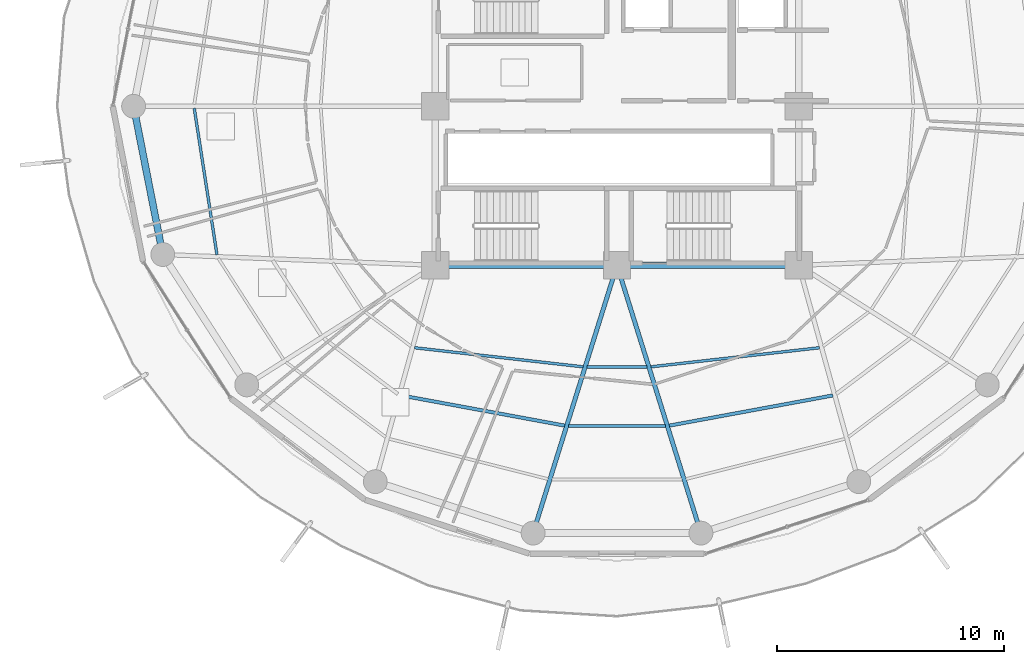
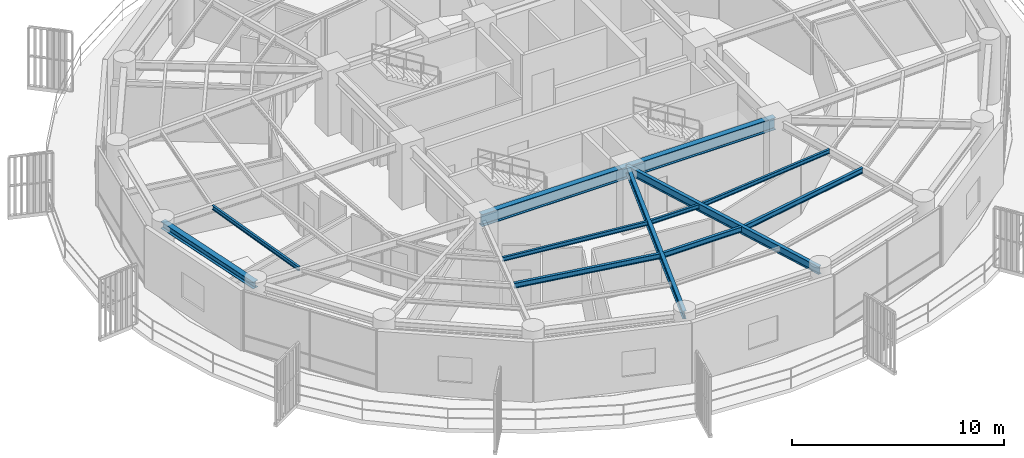
# One storey, part 5 of 31: 12 beams.
"""IFC4 building model written with IfcOpenShell, lengths in metres."""

from ifc_helpers import new_model, si_unit, direction, frame, origin, origin_2d, place, context, subcontext, project, spatial, i_section, extrude, material, material_profile, profile_set, type_object, element, save


model = new_model("IFC4")

# Units and contexts
model_context = context("Model", 3, precision=1e-05, world=origin(), true_north=direction((0.0, 1.0)))
body_context = subcontext(model_context, "Body", "Model", "MODEL_VIEW")
ifc_project = project(units=[si_unit("LENGTHUNIT", "METRE"), si_unit("AREAUNIT", "SQUARE_METRE"), si_unit("VOLUMEUNIT", "CUBIC_METRE"), si_unit("PLANEANGLEUNIT", "RADIAN"), si_unit("MASSUNIT", "GRAM", prefix="KILO")], contexts=[model_context])

# Site, building, storey
site_placement = place(None, origin())
site = spatial("IfcSite", under=ifc_project, at=site_placement, CompositionType="ELEMENT")
building_placement = place(site_placement, origin())
building = spatial("IfcBuilding", under=site, at=building_placement, Name="Kelanora Arch Commons", CompositionType="ELEMENT")
storey_placement = place(building_placement, frame((0.0, 0.0, 193.199951171875)))
storey = spatial("IfcBuildingStorey", under=building, at=storey_placement, Name="L49", CompositionType="ELEMENT", Elevation=193.199951171875)

# Beams
ifc_material = material(Name="Steel S355", Category="steel")
ifc_material_profile_1 = material_profile(ifc_material, i_section(OverallWidth=0.300048828125, OverallDepth=0.699951171875, WebThickness=0.01708984375, FlangeThickness=0.031982421875, FilletRadius=0.027099609375, at=origin_2d()), Name="HEB700")
ifc_profile_set_1 = profile_set([ifc_material_profile_1], Name="Steel S355")
beam_type_1 = type_object("IfcBeamType", Name="BM-CORE-HDR", PredefinedType="BEAM", material=ifc_profile_set_1)
for number, where, z_axis, x_axis, name in (
    (1, (66.0, 51.0, 3.14013671875), (1.0, 0.0, 0.0), (0.0, 1.0, 0.0), "Core Header Beam 01 L49"),
    (2, (74.0, 51.0, 3.14013671875), (1.0, 0.0, 0.0), (0.0, 1.0, 0.0), "Core Header Beam 02 L49"),
):
    element("IfcBeam", number, at=place(storey_placement, frame(where, z_axis=z_axis, x_axis=x_axis)), inside=storey, type_object=beam_type_1, Name=name, PredefinedType="BEAM", context=body_context, shape_type="SweptSolid", body=[
        extrude(i_section(OverallWidth=0.300048828125, OverallDepth=0.699951171875, WebThickness=0.01708984375, FlangeThickness=0.031982421875, FilletRadius=0.027099609375, at=origin_2d()), origin(), (0.0, 0.0, 1.0), 8.0),
    ])
ifc_material_profile_2 = material_profile(ifc_material, i_section(OverallWidth=0.14990234375, OverallDepth=0.300048828125, WebThickness=0.007080078125, FlangeThickness=0.0107421875, FilletRadius=0.014892578125, at=origin_2d()), Name="IPE300")
ifc_profile_set_2 = profile_set([ifc_material_profile_2], Name="Steel S355")
beam_type_2 = type_object("IfcBeamType", Name="BM-JST-01", PredefinedType="JOIST", material=ifc_profile_set_2)
beam_1_placement = place(storey_placement, frame((64.49951171875, 45.270263671875, 3.340087890625), z_axis=(0.983389964671, -0.181505309519, 0.0), x_axis=(0.181505309519, 0.983389964671, 0.0)))
element("IfcBeam", 3, at=beam_1_placement, inside=storey, type_object=beam_type_2, Name="Secondary Chord Joist BJB-24 L49", PredefinedType="JOIST", context=body_context, shape_type="SweptSolid", body=[
    extrude(i_section(OverallWidth=0.14990234375, OverallDepth=0.300048828125, WebThickness=0.007080078125, FlangeThickness=0.0107421875, FilletRadius=0.014892578125, at=origin_2d()), origin(), (0.0, 0.0, 1.0), 7.3212890625),
])
beam_2_placement = place(storey_placement, frame((71.867919921875, 43.92578125, 3.340087890625), z_axis=(1.0, 0.0, 0.0), x_axis=(0.0, 1.0, 0.0)))
element("IfcBeam", 4, at=beam_2_placement, inside=storey, type_object=beam_type_2, Name="Secondary Chord Joist BJB-26 L49", PredefinedType="JOIST", context=body_context, shape_type="SweptSolid", body=[
    extrude(i_section(OverallWidth=0.14990234375, OverallDepth=0.300048828125, WebThickness=0.007080078125, FlangeThickness=0.0107421875, FilletRadius=0.014892578125, at=origin_2d()), origin(), (0.0, 0.0, 1.0), 4.26416015625),
])
beam_3_placement = place(storey_placement, frame((76.30078125, 43.94140625, 3.340087890625), z_axis=(0.983389964671, 0.181505309519, 0.0), x_axis=(-0.181505309519, 0.983389964671, 0.0)))
element("IfcBeam", 5, at=beam_3_placement, inside=storey, type_object=beam_type_2, Name="Secondary Chord Joist BJB-28 L49", PredefinedType="JOIST", context=body_context, shape_type="SweptSolid", body=[
    extrude(i_section(OverallWidth=0.14990234375, OverallDepth=0.300048828125, WebThickness=0.007080078125, FlangeThickness=0.0107421875, FilletRadius=0.014892578125, at=origin_2d()), origin(), (0.0, 0.0, 1.0), 7.3212890625),
])
ifc_material_profile_3 = material_profile(ifc_material, i_section(OverallWidth=0.1201171875, OverallDepth=0.239990234375, WebThickness=0.006103515625, FlangeThickness=0.009765625, FilletRadius=0.014892578125, at=origin_2d()), Name="IPE240")
ifc_profile_set_3 = profile_set([ifc_material_profile_3], Name="Steel S355")
beam_type_3 = type_object("IfcBeamType", Name="BM-JST-02", PredefinedType="JOIST", material=ifc_profile_set_3)
beam_4_placement = place(storey_placement, frame((55.388916015625, 57.916015625, 3.3701171875), z_axis=(0.153256756152, -0.988186402808, 0.0), x_axis=(0.988186402808, 0.153256756152, 0.0)))
element("IfcBeam", 6, at=beam_4_placement, inside=storey, type_object=beam_type_3, Name="Secondary Chord Joist BJC-18 L49", PredefinedType="JOIST", context=body_context, shape_type="SweptSolid", body=[
    extrude(i_section(OverallWidth=0.1201171875, OverallDepth=0.239990234375, WebThickness=0.006103515625, FlangeThickness=0.009765625, FilletRadius=0.014892578125, at=origin_2d()), origin(), (0.0, 0.0, 1.0), 6.52978515625),
])
beam_5_placement = place(storey_placement, frame((65.081298828125, 47.371337890625, 3.3701171875), z_axis=(0.993639672263, -0.11260640171, 0.0), x_axis=(0.11260640171, 0.993639672263, 0.0)))
element("IfcBeam", 7, at=beam_5_placement, inside=storey, type_object=beam_type_3, Name="Secondary Chord Joist BJA-24 L49", PredefinedType="JOIST", context=body_context, shape_type="SweptSolid", body=[
    extrude(i_section(OverallWidth=0.1201171875, OverallDepth=0.239990234375, WebThickness=0.006103515625, FlangeThickness=0.009765625, FilletRadius=0.014892578125, at=origin_2d()), origin(), (0.0, 0.0, 1.0), 7.477783203125),
])
beam_6_placement = place(storey_placement, frame((72.680908203125, 46.519775390625, 3.3701171875), z_axis=(1.0, 0.0, 0.0), x_axis=(0.0, 1.0, 0.0)))
element("IfcBeam", 8, at=beam_6_placement, inside=storey, type_object=beam_type_3, Name="Secondary Chord Joist BJA-26 L49", PredefinedType="JOIST", context=body_context, shape_type="SweptSolid", body=[
    extrude(i_section(OverallWidth=0.1201171875, OverallDepth=0.239990234375, WebThickness=0.006103515625, FlangeThickness=0.009765625, FilletRadius=0.014892578125, at=origin_2d()), origin(), (0.0, 0.0, 1.0), 2.63818359375),
])
beam_7_placement = place(storey_placement, frame((75.488525390625, 46.529296875, 3.3701171875), z_axis=(0.993639672263, 0.11260640171, 0.0), x_axis=(-0.11260640171, 0.993639672263, 0.0)))
element("IfcBeam", 9, at=beam_7_placement, inside=storey, type_object=beam_type_3, Name="Secondary Chord Joist BJA-28 L49", PredefinedType="JOIST", context=body_context, shape_type="SweptSolid", body=[
    extrude(i_section(OverallWidth=0.1201171875, OverallDepth=0.239990234375, WebThickness=0.006103515625, FlangeThickness=0.009765625, FilletRadius=0.014892578125, at=origin_2d()), origin(), (0.0, 0.0, 1.0), 7.477783203125),
])
ifc_material_profile_4 = material_profile(ifc_material, i_section(OverallWidth=0.18994140625, OverallDepth=0.449951171875, WebThickness=0.009521484375, FlangeThickness=0.0146484375, FilletRadius=0.02099609375, at=origin_2d()), Name="IPE450")
ifc_profile_set_4 = profile_set([ifc_material_profile_4], Name="Steel S355")
beam_type_4 = type_object("IfcBeamType", Name="BM-RAD-Z4", PredefinedType="BEAM", material=ifc_profile_set_4)
for number, where, z_axis, x_axis, name in (
    (10, (74.0, 51.0, 3.26513671875), (-0.299080457492, -0.954227897279, 0.0), (0.954227897279, -0.299080457492, 0.0), "Radial Floor Girder BR-26 L49"),
    (11, (74.0, 51.0, 3.26513671875), (0.299080457492, -0.954227897279, 0.0), (0.954227897279, 0.299080457492, 0.0), "Radial Floor Girder BR-28 L49"),
):
    element("IfcBeam", number, at=place(storey_placement, frame(where, z_axis=z_axis, x_axis=x_axis)), inside=storey, type_object=beam_type_4, Name=name, PredefinedType="BEAM", context=body_context, shape_type="SweptSolid", body=[
        extrude(i_section(OverallWidth=0.18994140625, OverallDepth=0.449951171875, WebThickness=0.009521484375, FlangeThickness=0.0146484375, FilletRadius=0.02099609375, at=origin_2d()), origin(), (0.0, 0.0, 1.0), 12.35546875),
    ])
ifc_material_profile_5 = material_profile(ifc_material, i_section(OverallWidth=0.300048828125, OverallDepth=0.39990234375, WebThickness=0.013427734375, FlangeThickness=0.02392578125, FilletRadius=0.027099609375, at=origin_2d()), Name="HEB400")
ifc_profile_set_5 = profile_set([ifc_material_profile_5], Name="Steel S355")
beam_type_5 = type_object("IfcBeamType", Name="BM-SPN-Z4", PredefinedType="SPANDREL", material=ifc_profile_set_5)
beam_8_placement = place(storey_placement, frame((52.719970703125, 58.0, 3.2900390625), z_axis=(0.192980724826, -0.981202547819, 0.0), x_axis=(0.981202547819, 0.192980724826, 0.0)))
element("IfcBeam", 12, at=beam_8_placement, inside=storey, type_object=beam_type_5, Name="Perimeter Spandrel Beam BS-18 L49", PredefinedType="SPANDREL", context=body_context, shape_type="SweptSolid", body=[
    extrude(i_section(OverallWidth=0.300048828125, OverallDepth=0.39990234375, WebThickness=0.013427734375, FlangeThickness=0.02392578125, FilletRadius=0.027099609375, at=origin_2d()), origin(), (0.0, 0.0, 1.0), 6.650634765625),
])

save(model, "model.ifc")
